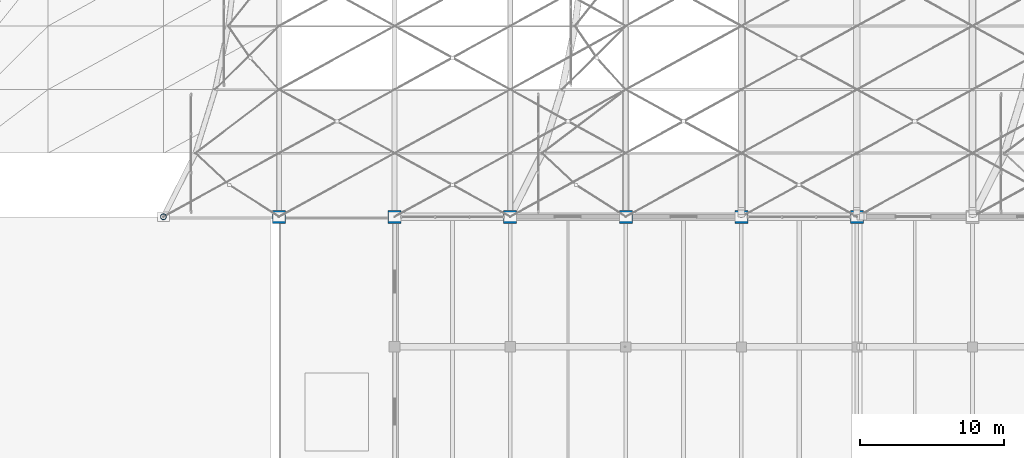
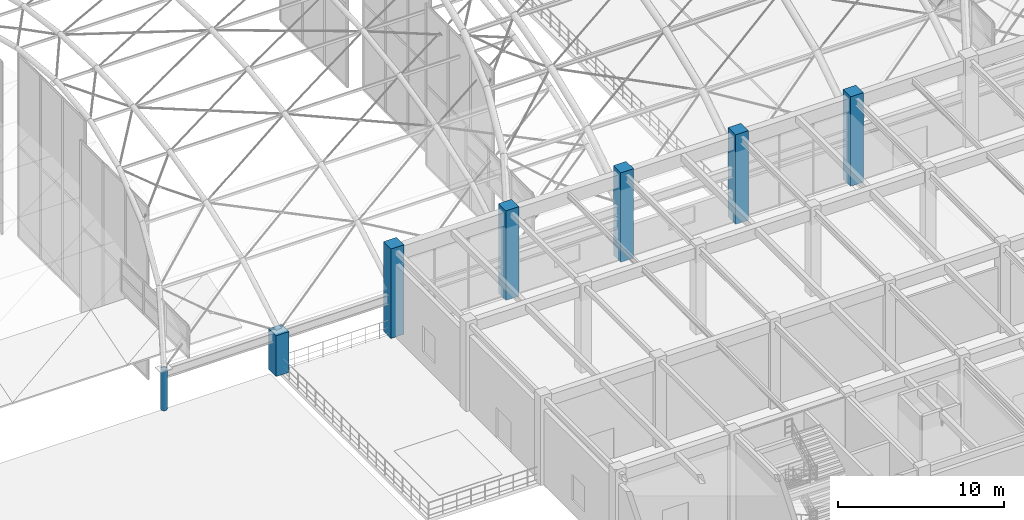
# One storey, part 2 of 163: 7 columns.
"""IFC4 building model written with IfcOpenShell, lengths in metres."""

from ifc_helpers import new_model, si_unit, direction, frame, origin, origin_2d, place, context, subcontext, project, spatial, rectangle, hollow_circle, extrude, material, material_profile, profile_set, type_object, element, save


model = new_model("IFC4")

# Units and contexts
model_context = context("Model", 3, precision=1e-05, world=origin(), true_north=direction((0.0, 1.0)))
body_context = subcontext(model_context, "Body", "Model", "MODEL_VIEW")
ifc_project = project(units=[si_unit("LENGTHUNIT", "METRE"), si_unit("AREAUNIT", "SQUARE_METRE"), si_unit("VOLUMEUNIT", "CUBIC_METRE"), si_unit("PLANEANGLEUNIT", "RADIAN"), si_unit("MASSUNIT", "GRAM", prefix="KILO")], contexts=[model_context])

# Site, building, storey
site_placement = place(None, origin())
site = spatial("IfcSite", under=ifc_project, at=site_placement, CompositionType="ELEMENT")
building_placement = place(site_placement, origin())
building = spatial("IfcBuilding", under=site, at=building_placement, Name="Varnabhumi Central Station", CompositionType="ELEMENT")
storey_placement = place(building_placement, frame((0.0, 0.0, 9.60009765625)))
storey = spatial("IfcBuildingStorey", under=building, at=storey_placement, Name="L02", CompositionType="ELEMENT", Elevation=9.60009765625)

# Columns
ifc_material_1 = material(Name="Structural steel E350", Category="steel")
ifc_material_profile_1 = material_profile(ifc_material_1, hollow_circle(Radius=0.203125, WallThickness=0.01611328125, at=origin_2d()), Name="Structural steel E350", Category="steel")
ifc_profile_set_1 = profile_set([ifc_material_profile_1], Name="Structural steel E350")
column_type_1 = type_object("IfcColumnType", Name="COL-MAST-CHS406", PredefinedType="COLUMN", material=ifc_profile_set_1)
column_1_placement = place(storey_placement, frame((16.0, 36.0, 0.0), z_axis=(0.0, 0.0, 1.0), x_axis=(1.0, 0.0, 0.0)))
element("IfcColumn", 1, at=column_1_placement, inside=storey, type_object=column_type_1, Name="Vault Mast L02-3E", PredefinedType="COLUMN", context=body_context, shape_type="SweptSolid", body=[
    extrude(hollow_circle(Radius=0.203125, WallThickness=0.01611328125, at=origin_2d()), origin(), (0.0, 0.0, 1.0), 3.0),
])
ifc_material_2 = material(Name="Concrete M50", Category="concrete")
ifc_material_profile_2 = material_profile(ifc_material_2, rectangle(XDim=0.89990234375, YDim=0.89990234375, at=origin_2d()), Name="Concrete M50", Category="concrete")
ifc_profile_set_2 = profile_set([ifc_material_profile_2], Name="Concrete M50")
column_type_2 = type_object("IfcColumnType", Name="COL-SPINE-M50-900x900", PredefinedType="COLUMN", material=ifc_profile_set_2)
for number, where, z_axis, x_axis, name in (
    (2, (32.0, 36.0, 0.0), (0.0, 0.0, 1.0), (1.0, 0.0, 0.0), "Column L02-5E"),
    (3, (40.0, 36.0, 0.0), (0.0, 0.0, 1.0), (1.0, 0.0, 0.0), "Column L02-6E"),
    (4, (48.0, 36.0, 0.0), (0.0, 0.0, 1.0), (1.0, 0.0, 0.0), "Column L02-7E"),
    (5, (56.0, 36.0, 0.0), (0.0, 0.0, 1.0), (1.0, 0.0, 0.0), "Column L02-8E"),
    (6, (64.0, 36.0, 0.0), (0.0, 0.0, 1.0), (1.0, 0.0, 0.0), "Column L02-9E"),
):
    element("IfcColumn", number, at=place(storey_placement, frame(where, z_axis=z_axis, x_axis=x_axis)), inside=storey, type_object=column_type_2, Name=name, PredefinedType="COLUMN", context=body_context, shape_type="SweptSolid", body=[
        extrude(rectangle(XDim=0.89990234375, YDim=0.89990234375, at=origin_2d()), origin(), (0.0, 0.0, 1.0), 6.599853515625),
    ])
column_2_placement = place(storey_placement, frame((24.0, 36.0, 0.0), z_axis=(0.0, 0.0, 1.0), x_axis=(1.0, 0.0, 0.0)))
element("IfcColumn", 7, at=column_2_placement, inside=storey, type_object=column_type_2, Name="Vault Mast L02-4E", PredefinedType="COLUMN", context=body_context, shape_type="SweptSolid", body=[
    extrude(rectangle(XDim=0.89990234375, YDim=0.89990234375, at=origin_2d()), origin(), (0.0, 0.0, 1.0), 3.0),
])

save(model, "model.ifc")
